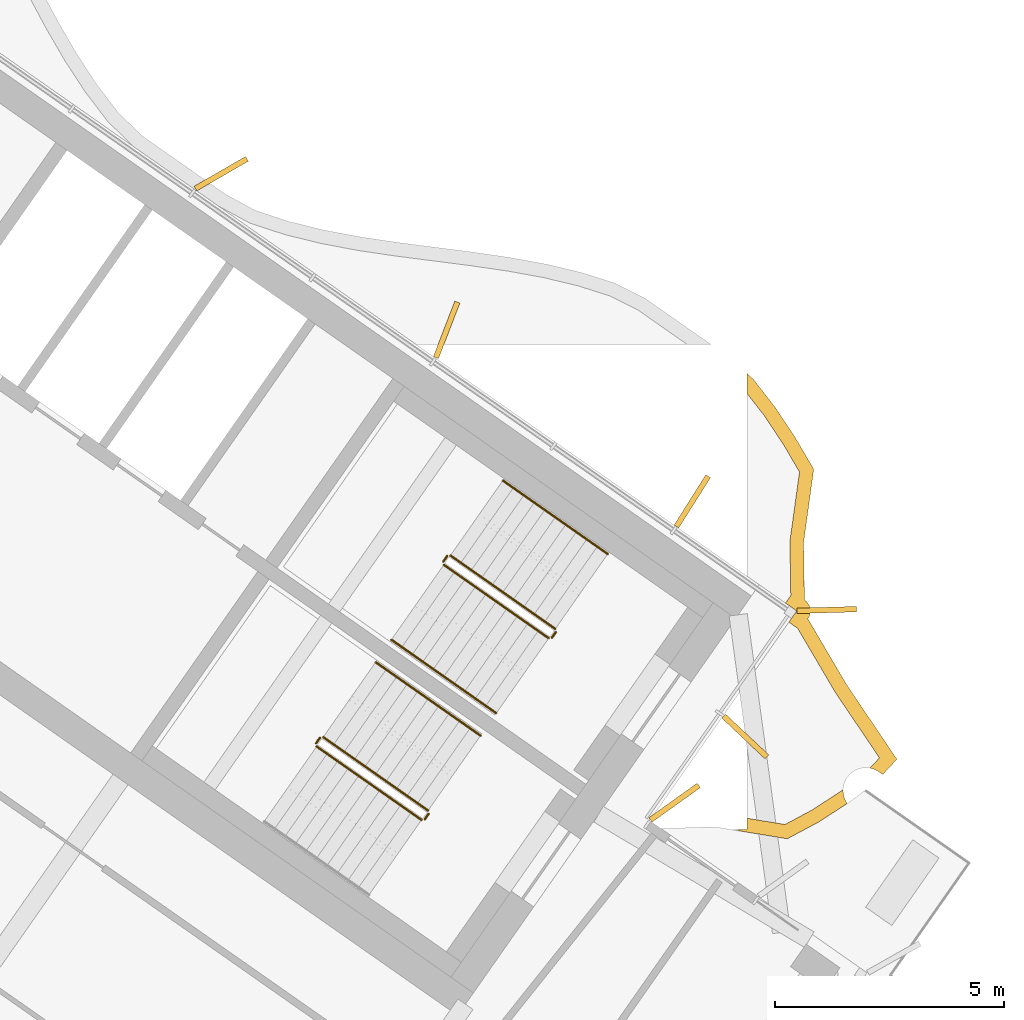
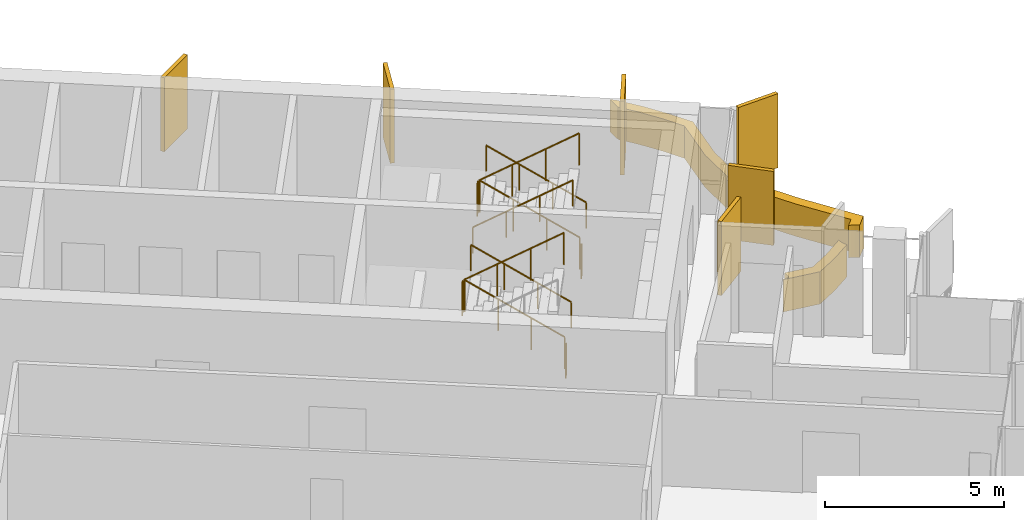
# One storey, part 18 of 20: 11 railings, 8 shading devices.
"""IFC4 building model written with IfcOpenShell, lengths in metres."""

from ifc_helpers import new_model, si_unit, direction, frame, origin, origin_2d, place, context, subcontext, project, spatial, polyline, rectangle, circle, outline, extrude, material, layer, layer_set, type_object, element, save


model = new_model("IFC4")

# Units and contexts
model_context = context("Model", 3, precision=1e-05, world=origin(), true_north=direction((0.0, 1.0)))
body_context = subcontext(model_context, "Body", "Model", "MODEL_VIEW")
ifc_project = project(units=[si_unit("LENGTHUNIT", "METRE"), si_unit("AREAUNIT", "SQUARE_METRE"), si_unit("VOLUMEUNIT", "CUBIC_METRE"), si_unit("PLANEANGLEUNIT", "RADIAN"), si_unit("MASSUNIT", "GRAM", prefix="KILO")], contexts=[model_context])

# Site, building, storey
site_placement = place(None, origin())
site = spatial("IfcSite", under=ifc_project, at=site_placement, CompositionType="ELEMENT")
building_placement = place(site_placement, origin())
building = spatial("IfcBuilding", under=site, at=building_placement, Name="Tel Ilan Convention Tower", CompositionType="ELEMENT")
storey_placement = place(building_placement, frame((0.0, 0.0, 248.800048828125)))
storey = spatial("IfcBuildingStorey", under=building, at=storey_placement, Name="L58", CompositionType="ELEMENT", Elevation=248.800048828125)

# Shading devices
ifc_material_1 = material(Name="Aluminium, bronze anodised", Category="aluminium")
ifc_layer_1 = layer(ifc_material_1, 0.1201171875)
ifc_layer_set_1 = layer_set([ifc_layer_1], Name="FIN BRONZE 1300x120")
shading_device_type_1 = type_object("IfcShadingDeviceType", Name="FIN BRONZE 1300x120", PredefinedType="USERDEFINED", material=ifc_layer_set_1)
for number, where, z_axis, x_axis, name in (
    (1, (26.286865234375, -11.65234375, 1.099853515625), (0.0, 0.0, 1.0), (0.813552070258, 0.581492071294, 0.0), "FIN"),
    (2, (27.832275390625, -10.203369140625, 1.099853515625), (0.0, 0.0, 1.0), (0.727373641577, -0.686241637865, 0.0), "FIN"),
    (3, (29.61669921875, -7.438720703125, 1.099853515625), (0.0, 0.0, 1.0), (0.999576950082, 0.029084718749, 0.0), "FIN"),
    (4, (26.674072265625, -5.063720703125, 1.099853515625), (0.0, 0.0, 1.0), (0.533204432798, 0.845986425922, 0.0), "FIN"),
    (5, (21.302978515625, -1.31103515625, 1.099853515625), (0.0, 0.0, 1.0), (0.360177724803, 0.932883704733, 0.0), "FIN"),
    (6, (16.372802734375, 2.103271484375, 1.099853515625), (0.0, 0.0, 1.0), (0.866025403784, 0.5, 0.0), "FIN"),
):
    element("IfcShadingDevice", number, at=place(storey_placement, frame(where, z_axis=z_axis, x_axis=x_axis)), inside=storey, type_object=shading_device_type_1, Name=name, ObjectType="FIN", PredefinedType="USERDEFINED", context=body_context, shape_type="SweptSolid", body=[
        extrude(rectangle(XDim=1.300048828125, YDim=0.1201171875, at=origin_2d()), origin(), (0.0, 0.0, 1.0), 2.52001953125),
    ])
ifc_material_2 = material(Name="Aluminium, bronze anodised", Category="aluminium")
ifc_layer_2 = layer(ifc_material_2, 0.300048828125)
ifc_layer_set_2 = layer_set([ifc_layer_2], Name="LOUVRE BAND 300x1100")
shading_device_type_2 = type_object("IfcShadingDeviceType", Name="LOUVRE BAND 300x1100", PredefinedType="USERDEFINED", material=ifc_layer_set_2)
shading_device_1_placement = place(storey_placement, origin())
element("IfcShadingDevice", 7, at=shading_device_1_placement, inside=storey, type_object=shading_device_type_2, Name="LOUVRE BAND 45.02", ObjectType="LOUVRE", PredefinedType="USERDEFINED", context=body_context, shape_type="SweptSolid", body=[
    extrude(outline(polyline([(28.0107421875, -2.392822265625), (27.874755859375, -2.269287109375), (27.874755859375, -2.70654296875), (28.240234375, -3.176513671875), (28.66748046875, -3.818359375), (29.02001953125, -4.420654296875), (28.809326171875, -5.941162109375), (28.829345703125, -7.12109375), (28.713134765625, -7.286865234375), (28.958740234375, -7.458984375), (28.787353515625, -7.705322265625), (28.97900390625, -7.83935546875), (29.802734375, -9.2421875), (30.7685546875, -10.672607421875), (30.560302734375, -10.894775390625), (30.629638671875, -10.913818359375), (30.719482421875, -10.953125), (30.84033203125, -11.034912109375), (31.151123046875, -10.703125), (30.056640625, -9.082275390625), (29.199951171875, -7.6279296875), (29.236083984375, -7.57373046875), (29.2587890625, -7.458984375), (29.236083984375, -7.34423828125), (29.1708984375, -7.246826171875), (29.127685546875, -7.218017578125), (29.10986328125, -5.95947265625), (29.331298828125, -4.35888671875), (28.922119140625, -3.659423828125), (28.48388671875, -3.001220703125), (28.0107421875, -2.392822265625)])), origin(), (0.0, 0.0, 1.0), 1.099853515625),
])
shading_device_2_placement = place(storey_placement, origin())
element("IfcShadingDevice", 8, at=shading_device_2_placement, inside=storey, type_object=shading_device_type_2, Name="LOUVRE BAND 45.03", ObjectType="LOUVRE", PredefinedType="USERDEFINED", context=body_context, shape_type="SweptSolid", body=[
    extrude(outline(polyline([(27.672119140625, -12.263671875), (28.752685546875, -12.44189453125), (29.445068359375, -12.072265625), (30.060546875, -11.671875), (30.028076171875, -11.614990234375), (29.99267578125, -11.523681640625), (29.9755859375, -11.427001953125), (29.973876953125, -11.36376953125), (29.906005859375, -11.414794921875), (29.292236328125, -11.813720703125), (28.701171875, -12.12939453125), (27.874755859375, -11.9931640625), (27.874755859375, -12.239990234375), (27.674072265625, -12.239990234375), (27.672119140625, -12.263671875)])), origin(), (0.0, 0.0, 1.0), 1.099853515625),
])

# Railings
ifc_material_3 = material(Name="Stainless Steel Grade 316", Category="steel")
railing_type_1 = type_object("IfcRailingType", Name="Stainless Steel Stair Guard 1100 mm", PredefinedType="GUARDRAIL", material=ifc_material_3)
railing_1_placement = place(storey_placement, frame((23.6787109375, -7.8515625, 0.17724609375)))
element("IfcRailing", 9, at=railing_1_placement, inside=storey, type_object=railing_type_1, Name="L58 S3 stair guard 1", PredefinedType="GUARDRAIL", context=body_context, shape_type="SweptSolid", body=[
    extrude(circle(Radius=0.02392578125, at=origin_2d()), frame((0.0, 0.0, 1.076171875), z_axis=(-0.692084706163, 0.484621375041, 0.534940073605), x_axis=(-0.573591086599, -0.819141785879, 0.0)), (0.0, 0.0, 1.0), 3.313720703125),
    extrude(circle(Radius=0.02099609375, at=origin_2d()), origin(), (0.0, 0.0, 1.0), 1.052001953125),
    extrude(circle(Radius=0.02099609375, at=origin_2d()), frame((-0.764404296875, 0.535400390625, 0.5908203125)), (0.0, 0.0, 1.0), 1.052001953125),
    extrude(circle(Radius=0.02099609375, at=origin_2d()), frame((-1.529052734375, 1.070556640625, 1.181884765625)), (0.0, 0.0, 1.0), 1.052001953125),
    extrude(circle(Radius=0.02099609375, at=origin_2d()), frame((-2.29345703125, 1.60595703125, 1.772705078125)), (0.0, 0.0, 1.0), 1.052001953125),
])
railing_2_placement = place(storey_placement, frame((21.3154296875, -6.2578125, 1.949951171875)))
element("IfcRailing", 10, at=railing_2_placement, inside=storey, type_object=railing_type_1, Name="L58 S3 stair guard 2", PredefinedType="GUARDRAIL", context=body_context, shape_type="SweptSolid", body=[
    extrude(circle(Radius=0.02392578125, at=origin_2d()), frame((0.0, 0.0, 1.076171875), z_axis=(-0.573353020881, -0.819308436089, 0.0), x_axis=(0.819308436089, -0.573353020881, 0.0)), (0.0, 0.0, 1.0), 0.14990234375),
    extrude(circle(Radius=0.02099609375, at=origin_2d()), origin(), (0.0, 0.0, 1.0), 1.052001953125),
    extrude(circle(Radius=0.02099609375, at=origin_2d()), frame((-0.0859375, -0.122802734375, 0.0)), (0.0, 0.0, 1.0), 1.052001953125),
])
railing_3_placement = place(storey_placement, frame((21.24169921875, -6.4501953125, 2.127197265625)))
element("IfcRailing", 11, at=railing_3_placement, inside=storey, type_object=railing_type_1, Name="L58 S3 stair guard 3", PredefinedType="GUARDRAIL", context=body_context, shape_type="SweptSolid", body=[
    extrude(circle(Radius=0.02392578125, at=origin_2d()), frame((0.0, 0.0, 1.076171875), z_axis=(0.692098378994, -0.484653031975, 0.534893701956), x_axis=(0.573608623498, 0.819129505664, 0.0)), (0.0, 0.0, 1.0), 3.314208984375),
    extrude(circle(Radius=0.02099609375, at=origin_2d()), origin(), (0.0, 0.0, 1.0), 1.052001953125),
    extrude(circle(Radius=0.02099609375, at=origin_2d()), frame((0.7646484375, -0.535400390625, 0.5908203125)), (0.0, 0.0, 1.0), 1.052001953125),
    extrude(circle(Radius=0.02099609375, at=origin_2d()), frame((1.529052734375, -1.07080078125, 1.181884765625)), (0.0, 0.0, 1.0), 1.052001953125),
    extrude(circle(Radius=0.02099609375, at=origin_2d()), frame((2.293701171875, -1.606201171875, 1.772705078125)), (0.0, 0.0, 1.0), 1.052001953125),
])
railing_4_placement = place(storey_placement, frame((23.691162109375, -7.921142578125, 0.0)))
element("IfcRailing", 12, at=railing_4_placement, inside=storey, type_object=railing_type_1, Name="L58 S3 stair guard 4", PredefinedType="GUARDRAIL", context=body_context, shape_type="SweptSolid", body=[
    extrude(circle(Radius=0.02392578125, at=origin_2d()), frame((0.0, 0.0, 1.076171875), z_axis=(-0.574444878118, -0.818543268254, 0.0), x_axis=(0.818543268254, -0.574444878118, 0.0)), (0.0, 0.0, 1.0), 0.150146484375),
    extrude(circle(Radius=0.02099609375, at=origin_2d()), origin(), (0.0, 0.0, 1.0), 1.052001953125),
    extrude(circle(Radius=0.02099609375, at=origin_2d()), frame((-0.086181640625, -0.122802734375, 0.0)), (0.0, 0.0, 1.0), 1.052001953125),
])
railing_5_placement = place(storey_placement, frame((20.89697265625, -11.824462890625, 0.17724609375)))
element("IfcRailing", 13, at=railing_5_placement, inside=storey, type_object=railing_type_1, Name="L58 S4 stair guard 1", PredefinedType="GUARDRAIL", context=body_context, shape_type="SweptSolid", body=[
    extrude(circle(Radius=0.02392578125, at=origin_2d()), frame((0.0, 0.0, 1.076171875), z_axis=(-0.692123088272, 0.484596665743, 0.534912798717), x_axis=(-0.573550118428, -0.819170471667, 0.0)), (0.0, 0.0, 1.0), 3.31396484375),
    extrude(circle(Radius=0.02099609375, at=origin_2d()), origin(), (0.0, 0.0, 1.0), 1.052001953125),
    extrude(circle(Radius=0.02099609375, at=origin_2d()), frame((-0.7646484375, 0.535400390625, 0.5908203125)), (0.0, 0.0, 1.0), 1.052001953125),
    extrude(circle(Radius=0.02099609375, at=origin_2d()), frame((-1.529052734375, 1.070556640625, 1.181884765625)), (0.0, 0.0, 1.0), 1.052001953125),
    extrude(circle(Radius=0.02099609375, at=origin_2d()), frame((-2.293701171875, 1.60595703125, 1.772705078125)), (0.0, 0.0, 1.0), 1.052001953125),
])
railing_6_placement = place(storey_placement, frame((18.53369140625, -10.230712890625, 1.949951171875)))
element("IfcRailing", 14, at=railing_6_placement, inside=storey, type_object=railing_type_1, Name="L58 S4 stair guard 2", PredefinedType="GUARDRAIL", context=body_context, shape_type="SweptSolid", body=[
    extrude(circle(Radius=0.02392578125, at=origin_2d()), frame((0.0, 0.0, 1.076171875), z_axis=(-0.573353020881, -0.819308436089, 0.0), x_axis=(0.819308436089, -0.573353020881, 0.0)), (0.0, 0.0, 1.0), 0.14990234375),
    extrude(circle(Radius=0.02099609375, at=origin_2d()), origin(), (0.0, 0.0, 1.0), 1.052001953125),
    extrude(circle(Radius=0.02099609375, at=origin_2d()), frame((-0.0859375, -0.122802734375, 0.0)), (0.0, 0.0, 1.0), 1.052001953125),
])
railing_7_placement = place(storey_placement, frame((18.4599609375, -10.423095703125, 2.127197265625)))
element("IfcRailing", 15, at=railing_7_placement, inside=storey, type_object=railing_type_1, Name="L58 S4 stair guard 3", PredefinedType="GUARDRAIL", context=body_context, shape_type="SweptSolid", body=[
    extrude(circle(Radius=0.02392578125, at=origin_2d()), frame((0.0, 0.0, 1.076171875), z_axis=(0.692098378994, -0.484653031975, 0.534893701956), x_axis=(0.573608623498, 0.819129505664, 0.0)), (0.0, 0.0, 1.0), 3.314208984375),
    extrude(circle(Radius=0.02099609375, at=origin_2d()), origin(), (0.0, 0.0, 1.0), 1.052001953125),
    extrude(circle(Radius=0.02099609375, at=origin_2d()), frame((0.7646484375, -0.535400390625, 0.5908203125)), (0.0, 0.0, 1.0), 1.052001953125),
    extrude(circle(Radius=0.02099609375, at=origin_2d()), frame((1.529052734375, -1.07080078125, 1.181884765625)), (0.0, 0.0, 1.0), 1.052001953125),
    extrude(circle(Radius=0.02099609375, at=origin_2d()), frame((2.293701171875, -1.606201171875, 1.772705078125)), (0.0, 0.0, 1.0), 1.052001953125),
])
railing_8_placement = place(storey_placement, frame((20.9091796875, -11.89404296875, 0.0)))
element("IfcRailing", 16, at=railing_8_placement, inside=storey, type_object=railing_type_1, Name="L58 S4 stair guard 4", PredefinedType="GUARDRAIL", context=body_context, shape_type="SweptSolid", body=[
    extrude(circle(Radius=0.02392578125, at=origin_2d()), frame((0.0, 0.0, 1.076171875), z_axis=(-0.573353020881, -0.819308436089, 0.0), x_axis=(0.819308436089, -0.573353020881, 0.0)), (0.0, 0.0, 1.0), 0.14990234375),
    extrude(circle(Radius=0.02099609375, at=origin_2d()), origin(), (0.0, 0.0, 1.0), 1.052001953125),
    extrude(circle(Radius=0.02099609375, at=origin_2d()), frame((-0.0859375, -0.122802734375, 0.0)), (0.0, 0.0, 1.0), 1.052001953125),
])
ifc_material_4 = material(Name="Stainless Steel Grade 316", Category="steel")
railing_type_2 = type_object("IfcRailingType", Name="Stainless Steel Stair Handrail 900 mm", PredefinedType="HANDRAIL", material=ifc_material_4)
railing_9_placement = place(storey_placement, frame((24.825927734375, -6.213134765625, 0.17724609375)))
element("IfcRailing", 17, at=railing_9_placement, inside=storey, type_object=railing_type_2, Name="L58 S3 stair handrail 1", PredefinedType="HANDRAIL", context=body_context, shape_type="SweptSolid", body=[
    extrude(circle(Radius=0.02392578125, at=origin_2d()), frame((0.0, 0.0, 0.8759765625), z_axis=(-0.692123088272, 0.484596665743, 0.534912798717), x_axis=(-0.573550118428, -0.819170471667, 0.0)), (0.0, 0.0, 1.0), 3.31396484375),
    extrude(circle(Radius=0.02099609375, at=origin_2d()), origin(), (0.0, 0.0, 1.0), 0.851806640625),
    extrude(circle(Radius=0.02099609375, at=origin_2d()), frame((-0.7646484375, 0.535400390625, 0.5908203125)), (0.0, 0.0, 1.0), 0.851806640625),
    extrude(circle(Radius=0.02099609375, at=origin_2d()), frame((-1.529052734375, 1.070556640625, 1.181884765625)), (0.0, 0.0, 1.0), 0.851806640625),
    extrude(circle(Radius=0.02099609375, at=origin_2d()), frame((-2.293701171875, 1.60595703125, 1.772705078125)), (0.0, 0.0, 1.0), 0.851806640625),
])
railing_10_placement = place(storey_placement, frame((20.0947265625, -8.088623046875, 2.127197265625)))
element("IfcRailing", 18, at=railing_10_placement, inside=storey, type_object=railing_type_2, Name="L58 S3 stair handrail 2", PredefinedType="HANDRAIL", context=body_context, shape_type="SweptSolid", body=[
    extrude(circle(Radius=0.02392578125, at=origin_2d()), frame((0.0, 0.0, 0.8759765625), z_axis=(0.692084706163, -0.484621375041, 0.534940073605), x_axis=(0.573591086599, 0.819141785879, 0.0)), (0.0, 0.0, 1.0), 3.313720703125),
    extrude(circle(Radius=0.02099609375, at=origin_2d()), origin(), (0.0, 0.0, 1.0), 0.851806640625),
    extrude(circle(Radius=0.02099609375, at=origin_2d()), frame((0.764404296875, -0.535400390625, 0.5908203125)), (0.0, 0.0, 1.0), 0.851806640625),
    extrude(circle(Radius=0.02099609375, at=origin_2d()), frame((1.529052734375, -1.070556640625, 1.181884765625)), (0.0, 0.0, 1.0), 0.851806640625),
    extrude(circle(Radius=0.02099609375, at=origin_2d()), frame((2.29345703125, -1.60595703125, 1.772705078125)), (0.0, 0.0, 1.0), 0.851806640625),
])
railing_11_placement = place(storey_placement, frame((22.044189453125, -10.18603515625, 0.17724609375)))
element("IfcRailing", 19, at=railing_11_placement, inside=storey, type_object=railing_type_2, Name="L58 S4 stair handrail 1", PredefinedType="HANDRAIL", context=body_context, shape_type="SweptSolid", body=[
    extrude(circle(Radius=0.02392578125, at=origin_2d()), frame((0.0, 0.0, 0.8759765625), z_axis=(-0.692123088272, 0.484596665743, 0.534912798717), x_axis=(-0.573550118428, -0.819170471667, 0.0)), (0.0, 0.0, 1.0), 3.31396484375),
    extrude(circle(Radius=0.02099609375, at=origin_2d()), origin(), (0.0, 0.0, 1.0), 0.851806640625),
    extrude(circle(Radius=0.02099609375, at=origin_2d()), frame((-0.7646484375, 0.535400390625, 0.5908203125)), (0.0, 0.0, 1.0), 0.851806640625),
    extrude(circle(Radius=0.02099609375, at=origin_2d()), frame((-1.529052734375, 1.070556640625, 1.181884765625)), (0.0, 0.0, 1.0), 0.851806640625),
    extrude(circle(Radius=0.02099609375, at=origin_2d()), frame((-2.293701171875, 1.60595703125, 1.772705078125)), (0.0, 0.0, 1.0), 0.851806640625),
])

save(model, "model.ifc")
